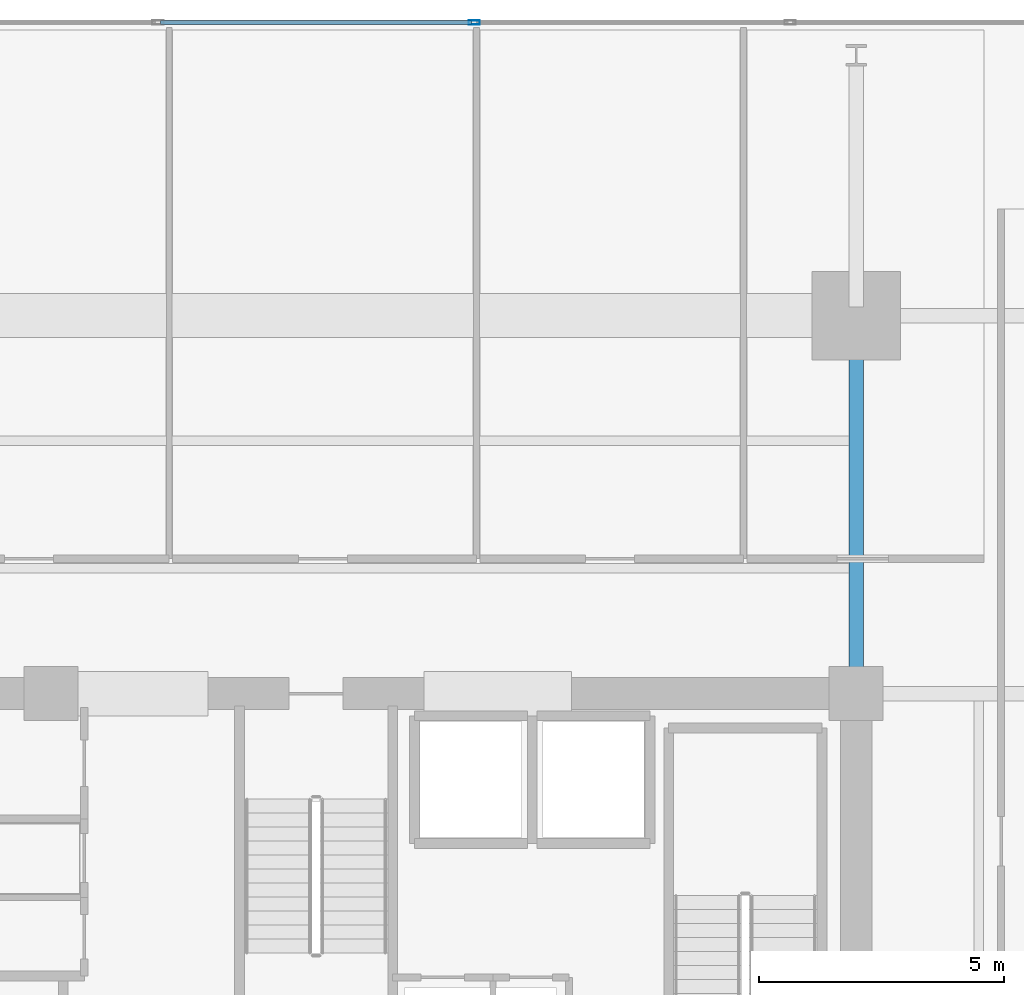
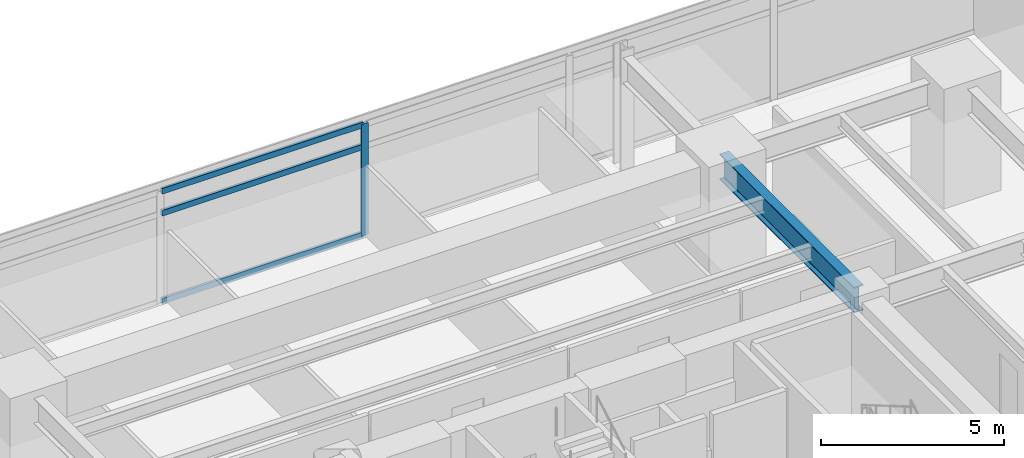
# One storey, part 9 of 21: 4 members, 1 beam, 1 element without a shape of its own.
"""IFC4 building model written with IfcOpenShell, lengths in metres."""

import ifcopenshell
import ifcopenshell.guid

model = None  # the IFC model being written
_history = None  # IfcOwnerHistory: only IFC2X3 demands one
_inside = {}  # id of a spatial element -> (the spatial element, [elements in it])
_under = {}  # id of a project, library or spatial element -> (it, [spatial elements below it])
_declared = {}  # id of a project -> (the project, [libraries it declares])
_typed = {}  # id of a type object -> (the type object, [elements of that type])
_made_of = {}  # id of a material, layer set ... -> (it, [elements and type objects made of it])


def new_model(schema):
    """Start an empty IFC model of exactly this schema.

    Asked for "IFC4X3", IfcOpenShell would pick the latest addendum, in which some entities
    have other attributes; the version numbers below select the first issue.
    IFC2X3 requires an IfcOwnerHistory on every rooted entity: one is made here for all.
    """
    global model, _history
    if schema == "IFC4X3":
        model = ifcopenshell.file(schema_version=(4, 3, 0, 0))
    else:
        model = ifcopenshell.file(schema=schema)
    _inside.clear()
    _under.clear()
    _declared.clear()
    _typed.clear()
    _made_of.clear()
    _history = None
    if model.schema == "IFC2X3":
        org = make("IfcOrganization", Name="unknown")
        user = make(
            "IfcPersonAndOrganization",
            ThePerson=make("IfcPerson", FamilyName="unknown"),
            TheOrganization=org,
        )
        app = make(
            "IfcApplication",
            ApplicationDeveloper=org,
            Version="unknown",
            ApplicationFullName="unknown",
            ApplicationIdentifier="unknown",
        )
        _history = make(
            "IfcOwnerHistory",
            OwningUser=user,
            OwningApplication=app,
            ChangeAction="ADDED",
            CreationDate=0,
        )
    return model


def make(cls, **values):
    """One entity of the class cls with the attributes given. An attribute that is None is left unset."""
    return model.create_entity(
        cls, **{name: value for name, value in values.items() if value is not None}
    )


def rooted(cls, **values):
    """An entity with a GlobalId (a new one), such as an element, a storey or a relation."""
    return make(cls, GlobalId=ifcopenshell.guid.new(), OwnerHistory=_history, **values)


def si_unit(unit_type, name, prefix=None):
    """IfcSIUnit, for example si_unit("LENGTHUNIT", "METRE", prefix="MILLI")."""
    return make("IfcSIUnit", UnitType=unit_type, Prefix=prefix, Name=name)


def assignment(units):
    """IfcUnitAssignment: the units of a project."""
    return None if units is None else make("IfcUnitAssignment", Units=units)


def point(xyz):
    """IfcCartesianPoint."""
    return None if xyz is None else make("IfcCartesianPoint", Coordinates=xyz)


def direction(xyz):
    """IfcDirection."""
    return None if xyz is None else make("IfcDirection", DirectionRatios=xyz)


def frame(location, z_axis=None, x_axis=None):
    """IfcAxis2Placement3D, a coordinate frame: its origin and axes. An axis left out is left unset."""
    return make(
        "IfcAxis2Placement3D",
        Location=point(location),
        Axis=direction(z_axis),
        RefDirection=direction(x_axis),
    )


def frame_2d(location, x_axis=None):
    """IfcAxis2Placement2D, a coordinate frame in the plane: its origin and x axis."""
    return make(
        "IfcAxis2Placement2D", Location=point(location), RefDirection=direction(x_axis)
    )


def origin():
    """The frame at (0, 0, 0) with its axes left unset."""
    return frame((0.0, 0.0, 0.0))


def origin_2d():
    """The frame at (0, 0) in the plane with its x axis left unset."""
    return frame_2d((0.0, 0.0))


def place(relative_to, where):
    """IfcLocalPlacement: puts the frame where relative to a parent placement (None: the world)."""
    return make(
        "IfcLocalPlacement", PlacementRelTo=relative_to, RelativePlacement=where
    )


def context(
    kind, dimensions, precision=None, world=None, true_north=None, identifier=None
):
    """IfcGeometricRepresentationContext, for example the 3D "Model" context."""
    return make(
        "IfcGeometricRepresentationContext",
        ContextIdentifier=identifier,
        ContextType=kind,
        CoordinateSpaceDimension=dimensions,
        Precision=precision,
        WorldCoordinateSystem=world,
        TrueNorth=true_north,
    )


def subcontext(parent, identifier, kind, view, scale=None):
    """IfcGeometricRepresentationSubContext, for example "Body" below "Model"."""
    return make(
        "IfcGeometricRepresentationSubContext",
        ContextIdentifier=identifier,
        ContextType=kind,
        ParentContext=parent,
        TargetScale=scale,
        TargetView=view,
    )


def project(units=None, contexts=None):
    """IfcProject with its units and contexts."""
    return rooted(
        "IfcProject",
        Name="project",
        RepresentationContexts=contexts,
        UnitsInContext=assignment(units),
    )


def spatial(cls, under=None, at=None, **own):
    """A site, building, storey or space (cls), placed at a placement, below another one or the project."""
    s = rooted(cls, ObjectPlacement=at, **own)
    if under is not None:
        _under.setdefault(under.id(), (under, []))[1].append(s)
    return s


def profile(cls, at=None, kind="AREA", **sizes):
    """A parametric profile (cls). Its sizes go by their IFC names, for example OverallWidth=200.0."""
    return make(cls, ProfileType=kind, Position=at, **sizes)


def hollow_rectangle(**sizes):
    """IfcRectangleHollowProfileDef."""
    return profile("IfcRectangleHollowProfileDef", **sizes)


def i_section(**sizes):
    """IfcIShapeProfileDef."""
    return profile("IfcIShapeProfileDef", **sizes)


def extrude(swept, where, along, depth):
    """IfcExtrudedAreaSolid: the profile swept, set in the frame where, extruded along a direction by depth."""
    return make(
        "IfcExtrudedAreaSolid",
        SweptArea=swept,
        Position=where,
        ExtrudedDirection=direction(along),
        Depth=depth,
    )


def shape(context_of_items, identifier, shape_type, items):
    """IfcShapeRepresentation: the items that make up one representation, for example the "Body"."""
    return make(
        "IfcShapeRepresentation",
        ContextOfItems=context_of_items,
        RepresentationIdentifier=identifier,
        RepresentationType=shape_type,
        Items=items,
    )


def material(Name=None, Category=None):
    """IfcMaterial."""
    return make("IfcMaterial", Name=Name, Category=Category)


def material_profile(
    of_material, cross_section, Name=None, Category=None, Priority=None
):
    """IfcMaterialProfile: a cross section and its material."""
    return make(
        "IfcMaterialProfile",
        Name=Name,
        Material=of_material,
        Profile=cross_section,
        Priority=Priority,
        Category=Category,
    )


def profile_set(profiles, Name=None, composite=None):
    """IfcMaterialProfileSet."""
    return make(
        "IfcMaterialProfileSet",
        Name=Name,
        MaterialProfiles=profiles,
        CompositeProfile=composite,
    )


def made_of(thing, what):
    """Note that an element or type object is made of a material, layer set ...; save() writes the relation."""
    if what is not None:
        _made_of.setdefault(what.id(), (what, []))[1].append(thing)
    return thing


def type_object(cls, material=None, **own):
    """A type object (cls), such as IfcWallType, which elements share."""
    return made_of(rooted(cls, **own), material)


def element(
    cls,
    number,
    at=None,
    inside=None,
    cuts=None,
    type_object=None,
    material=None,
    context=None,
    identifier="Body",
    shape_type=None,
    held_by="IfcProductDefinitionShape",
    body=None,
    shapes=None,
    **own,
):
    """One element of the class cls, such as IfcWall. Its Tag is "e" and its number.

    at: its placement. inside: the storey or other place that contains it. cuts: it is an
    opening in that element (IfcRelVoidsElement). A single representation is given by context,
    identifier, shape_type and body (its items); several are given by shapes. held_by: the class
    of the entity that holds the representations. save() writes the other relations.
    """
    e = rooted(cls, Tag="e%d" % number, ObjectPlacement=at, **own)
    if body is not None:
        shapes = [shape(context, identifier, shape_type, body)]
    if shapes is not None:
        e.Representation = make(held_by, Representations=shapes)
    if inside is not None:
        _inside.setdefault(inside.id(), (inside, []))[1].append(e)
    if cuts is not None:
        rooted(
            "IfcRelVoidsElement", RelatingBuildingElement=cuts, RelatedOpeningElement=e
        )
    if type_object is not None:
        _typed.setdefault(type_object.id(), (type_object, []))[1].append(e)
    return made_of(e, material)


def aggregate(whole, parts):
    """IfcRelAggregates: a whole, such as a stair, and the parts it consists of."""
    return rooted("IfcRelAggregates", RelatingObject=whole, RelatedObjects=parts)


def save(model, path):
    """Write the relations noted so far, then the file.

    IfcRelAggregates (storeys below a building ...), IfcRelContainedInSpatialStructure (elements
    in a storey), IfcRelDefinesByType, IfcRelAssociatesMaterial and IfcRelDeclares: one each for
    every whole, place, type object, material and project.
    """
    for whole, parts in _under.values():
        aggregate(whole, parts)
    for where, things in _inside.values():
        rooted(
            "IfcRelContainedInSpatialStructure",
            RelatedElements=things,
            RelatingStructure=where,
        )
    for kind, things in _typed.values():
        rooted("IfcRelDefinesByType", RelatedObjects=things, RelatingType=kind)
    for what, things in _made_of.values():
        rooted("IfcRelAssociatesMaterial", RelatedObjects=things, RelatingMaterial=what)
    for by, libraries in _declared.values():
        rooted("IfcRelDeclares", RelatingContext=by, RelatedDefinitions=libraries)
    model.write(path)


model = new_model("IFC4")

# Units and contexts
model_context = context("Model", 3, precision=1e-05, world=origin(), true_north=direction((0.0, 1.0)))
body_context = subcontext(model_context, "Body", "Model", "MODEL_VIEW")
ifc_project = project(units=[si_unit("LENGTHUNIT", "METRE"), si_unit("AREAUNIT", "SQUARE_METRE"), si_unit("VOLUMEUNIT", "CUBIC_METRE"), si_unit("PLANEANGLEUNIT", "RADIAN"), si_unit("MASSUNIT", "GRAM", prefix="KILO")], contexts=[model_context])

# Site, building, storey
site_placement = place(None, origin())
site = spatial("IfcSite", under=ifc_project, at=site_placement, CompositionType="ELEMENT")
building_placement = place(site_placement, origin())
building = spatial("IfcBuilding", under=site, at=building_placement, Name="Kovane Verandah Tower", CompositionType="ELEMENT")
storey_placement = place(building_placement, frame((0.0, 0.0, 87.60009765625)))
storey = spatial("IfcBuildingStorey", under=building, at=storey_placement, Name="L20", CompositionType="ELEMENT", Elevation=87.60009765625)

# Beam
ifc_material_1 = material(Name="Steel S355", Category="steel")
ifc_material_profile_1 = material_profile(ifc_material_1, i_section(OverallWidth=0.293701171875, OverallDepth=0.850830078125, WebThickness=0.01611328125, FlangeThickness=0.02685546875, FilletRadius=0.017822265625, at=origin_2d()), Name="UB838x292x226")
ifc_profile_set_1 = profile_set([ifc_material_profile_1], Name="Steel S355")
beam_type = type_object("IfcBeamType", Name="BM-UB838x226", PredefinedType="BEAM", material=ifc_profile_set_1)
beam_placement = place(storey_placement, frame((51.0, 36.679931640625, 3.33447265625), z_axis=(0.0, 1.0, 0.0), x_axis=(-1.0, 0.0, 0.0)))
element("IfcBeam", 1, at=beam_placement, inside=storey, type_object=beam_type, Name="L20 Primary Tower Girder G-N2", PredefinedType="BEAM", context=body_context, shape_type="SweptSolid", body=[
    extrude(i_section(OverallWidth=0.293701171875, OverallDepth=0.850830078125, WebThickness=0.01611328125, FlangeThickness=0.02685546875, FilletRadius=0.017822265625, at=origin_2d()), origin(), (0.0, 0.0, 1.0), 7.340087890625),
])

# Curtain wall, members
ifc_material_2 = material(Name="Champagne Anodised Aluminium Frame with Low-E Clear Laminated Glass", Category="aluminium")
curtain_wall_type = type_object("IfcCurtainWallType", Name="CW-SYS-02-LOW", PredefinedType="NOTDEFINED", material=ifc_material_2)
curtain_wall_placement = place(storey_placement, origin())
curtain_wall = element("IfcCurtainWall", 2, at=curtain_wall_placement, inside=storey, type_object=curtain_wall_type, Name="L20 N Unitised Curtain Wall", PredefinedType="NOTDEFINED")
ifc_material_3 = material(Name="Champagne Anodised Aluminium 6063-T6", Category="aluminium")
ifc_material_profile_2 = material_profile(ifc_material_3, hollow_rectangle(XDim=0.0849609375, YDim=0.22998046875, WallThickness=0.00390625, at=origin_2d()), Name="AL85x230x4")
ifc_profile_set_2 = profile_set([ifc_material_profile_2], Name="Champagne Anodised Aluminium 6063-T6")
member_type_1 = type_object("IfcMemberType", Name="CW-MUL-85x230", PredefinedType="MULLION", material=ifc_profile_set_2)
member_1_placement = place(storey_placement, frame((43.218505859375, 50.1708984375, 0.02001953125), z_axis=(0.0, 0.0, 1.0), x_axis=(0.0, 1.0, 0.0)))
member_1 = element("IfcMember", 3, at=member_1_placement, type_object=member_type_1, Name="L20 N Unitised Curtain Wall Mullion 4", PredefinedType="MULLION", context=body_context, shape_type="SweptSolid", body=[
    extrude(hollow_rectangle(XDim=0.0849609375, YDim=0.22998046875, WallThickness=0.00390625, at=origin_2d()), origin(), (0.0, 0.0, 1.0), 3.719970703125),
])
ifc_material_profile_3 = material_profile(ifc_material_3, hollow_rectangle(XDim=0.0849609375, YDim=0.18994140625, WallThickness=0.00390625, at=origin_2d()), Name="AL85x190x4")
ifc_profile_set_3 = profile_set([ifc_material_profile_3], Name="Champagne Anodised Aluminium 6063-T6")
member_type_2 = type_object("IfcMemberType", Name="CW-TRN-85x190", PredefinedType="USERDEFINED", material=ifc_profile_set_3)
member_2_placement = place(storey_placement, frame((43.168701171875, 50.1708984375, 0.0498046875), z_axis=(-1.0, 0.0, 0.0), x_axis=(0.0, -1.0, 0.0)))
member_2 = element("IfcMember", 4, at=member_2_placement, type_object=member_type_2, Name="L20 N Unitised Curtain Wall Transom TB Bay 4", ObjectType="TRANSOM", PredefinedType="USERDEFINED", context=body_context, shape_type="SweptSolid", body=[
    extrude(hollow_rectangle(XDim=0.0849609375, YDim=0.18994140625, WallThickness=0.00390625, at=origin_2d()), origin(), (0.0, 0.0, 1.0), 6.33740234375),
])
member_3_placement = place(storey_placement, frame((43.168701171875, 50.1708984375, 2.97998046875), z_axis=(-1.0, 0.0, 0.0), x_axis=(0.0, -1.0, 0.0)))
member_3 = element("IfcMember", 5, at=member_3_placement, type_object=member_type_2, Name="L20 N Unitised Curtain Wall Transom TM Bay 4", ObjectType="TRANSOM", PredefinedType="USERDEFINED", context=body_context, shape_type="SweptSolid", body=[
    extrude(hollow_rectangle(XDim=0.0849609375, YDim=0.18994140625, WallThickness=0.00390625, at=origin_2d()), origin(), (0.0, 0.0, 1.0), 6.33740234375),
])
member_4_placement = place(storey_placement, frame((43.168701171875, 50.1708984375, 3.7099609375), z_axis=(-1.0, 0.0, 0.0), x_axis=(0.0, -1.0, 0.0)))
member_4 = element("IfcMember", 6, at=member_4_placement, type_object=member_type_2, Name="L20 N Unitised Curtain Wall Transom TT Bay 4", ObjectType="TRANSOM", PredefinedType="USERDEFINED", context=body_context, shape_type="SweptSolid", body=[
    extrude(hollow_rectangle(XDim=0.0849609375, YDim=0.18994140625, WallThickness=0.00390625, at=origin_2d()), origin(), (0.0, 0.0, 1.0), 6.33740234375),
])
aggregate(curtain_wall, [member_1, member_2, member_3, member_4])

save(model, "model.ifc")
